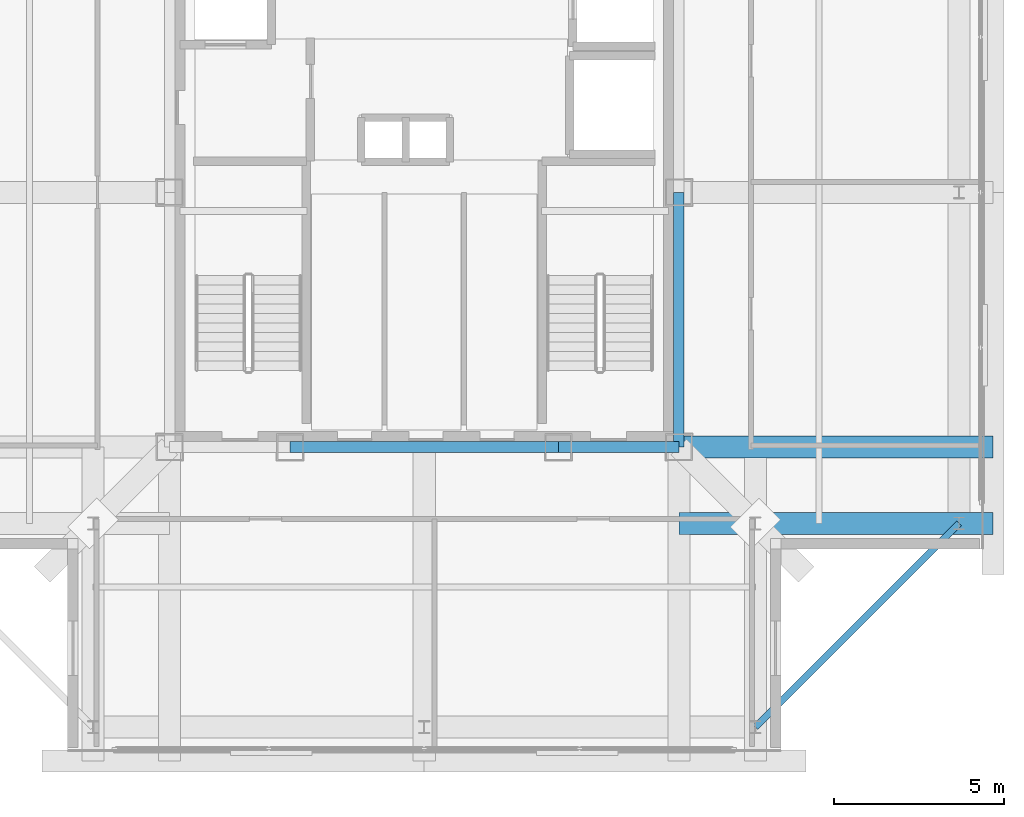
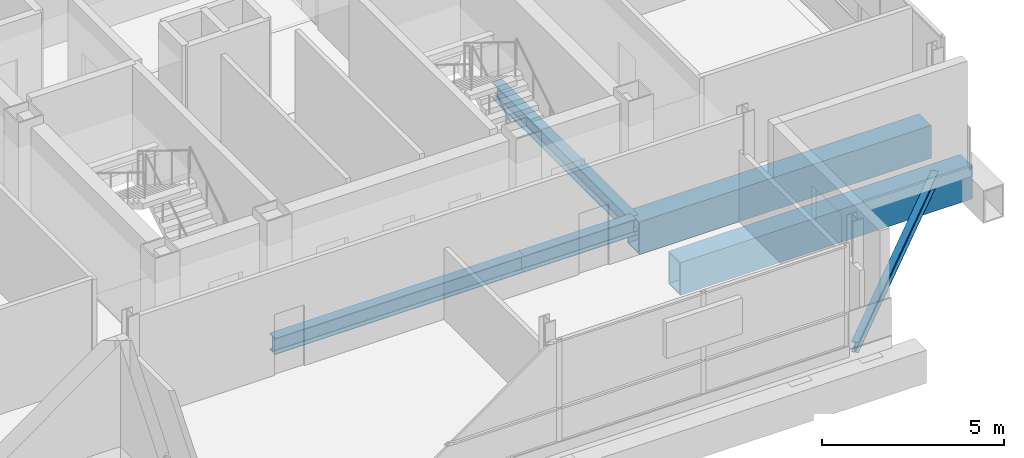
# One storey, part 3 of 12: 6 beams.
"""IFC4 building model written with IfcOpenShell, lengths in metres."""

from ifc_helpers import new_model, si_unit, direction, frame, origin, origin_2d, place, context, subcontext, project, spatial, hollow_rectangle, i_section, extrude, material, material_profile, profile_set, type_object, element, save


model = new_model("IFC4")

# Units and contexts
model_context = context("Model", 3, precision=1e-05, world=origin(), true_north=direction((0.0, 1.0)))
body_context = subcontext(model_context, "Body", "Model", "MODEL_VIEW")
ifc_project = project(units=[si_unit("LENGTHUNIT", "METRE"), si_unit("AREAUNIT", "SQUARE_METRE"), si_unit("VOLUMEUNIT", "CUBIC_METRE"), si_unit("PLANEANGLEUNIT", "RADIAN"), si_unit("MASSUNIT", "GRAM", prefix="KILO")], contexts=[model_context])

# Site, building, storey
site_placement = place(None, origin())
site = spatial("IfcSite", under=ifc_project, at=site_placement, CompositionType="ELEMENT")
building_placement = place(site_placement, origin())
building = spatial("IfcBuilding", under=site, at=building_placement, Name="Trevonay Congress Spire", CompositionType="ELEMENT")
storey_placement = place(building_placement, frame((0.0, 0.0, 308.39990234375)))
storey = spatial("IfcBuildingStorey", under=building, at=storey_placement, Name="L81", CompositionType="ELEMENT", Elevation=308.39990234375)

# Beams
ifc_material = material(Name="Steel ASTM A572 Grade 50", Category="steel")
ifc_material_profile_1 = material_profile(ifc_material, i_section(OverallWidth=0.31201171875, OverallDepth=0.54296875, WebThickness=0.0126953125, FlangeThickness=0.020263671875, FilletRadius=0.014892578125, at=origin_2d()), Name="W530x150")
ifc_profile_set_1 = profile_set([ifc_material_profile_1], Name="Steel ASTM A572 Grade 50")
beam_type_1 = type_object("IfcBeamType", Name="BM-GIRD-W530X150", PredefinedType="BEAM", material=ifc_profile_set_1)
beam_1_placement = place(storey_placement, frame((-3.949951171875, -7.5, -0.67138671875), z_axis=(1.0, 0.0, 0.0), x_axis=(0.0, 1.0, 0.0)))
element("IfcBeam", 1, at=beam_1_placement, inside=storey, type_object=beam_type_1, Name="L81 structural beam BM-L81-CR-S2", PredefinedType="BEAM", context=body_context, shape_type="SweptSolid", body=[
    extrude(i_section(OverallWidth=0.31201171875, OverallDepth=0.54296875, WebThickness=0.0126953125, FlangeThickness=0.020263671875, FilletRadius=0.014892578125, at=origin_2d()), origin(), (0.0, 0.0, 1.0), 7.89990234375),
])
beam_2_placement = place(storey_placement, frame((3.949951171875, -7.5, -0.67138671875), z_axis=(1.0, 0.0, 0.0), x_axis=(0.0, 1.0, 0.0)))
element("IfcBeam", 2, at=beam_2_placement, inside=storey, type_object=beam_type_1, Name="L81 structural beam BM-L81-CR-S3", PredefinedType="BEAM", context=body_context, shape_type="SweptSolid", body=[
    extrude(i_section(OverallWidth=0.31201171875, OverallDepth=0.54296875, WebThickness=0.0126953125, FlangeThickness=0.020263671875, FilletRadius=0.014892578125, at=origin_2d()), origin(), (0.0, 0.0, 1.0), 3.550048828125),
])
beam_3_placement = place(storey_placement, frame((7.5, -7.5, -0.67138671875), z_axis=(0.0, 1.0, 0.0), x_axis=(-1.0, 0.0, 0.0)))
element("IfcBeam", 3, at=beam_3_placement, inside=storey, type_object=beam_type_1, Name="L81 structural beam BM-L81-CR-E1", PredefinedType="BEAM", context=body_context, shape_type="SweptSolid", body=[
    extrude(i_section(OverallWidth=0.31201171875, OverallDepth=0.54296875, WebThickness=0.0126953125, FlangeThickness=0.020263671875, FilletRadius=0.014892578125, at=origin_2d()), origin(), (0.0, 0.0, 1.0), 7.5),
])
ifc_material_profile_2 = material_profile(ifc_material, hollow_rectangle(XDim=0.64990234375, YDim=1.10009765625, WallThickness=0.044921875, at=origin_2d()), Name="BOX 1100x650x45")
ifc_profile_set_2 = profile_set([ifc_material_profile_2], Name="Steel ASTM A572 Grade 50")
beam_type_2 = type_object("IfcBeamType", Name="BM-XFER-BOX1100", PredefinedType="BEAM", material=ifc_profile_set_2)
for number, where, z_axis, x_axis, name in (
    (4, (7.5, -7.5, -0.949951171875), (1.0, 0.0, 0.0), (0.0, 1.0, 0.0), "L81 structural beam XSPN-L81-CX-SE"),
    (5, (7.5, -9.75, -0.949951171875), (1.0, 0.0, 0.0), (0.0, 1.0, 0.0), "L81 structural beam XFER-L81-E0"),
):
    element("IfcBeam", number, at=place(storey_placement, frame(where, z_axis=z_axis, x_axis=x_axis)), inside=storey, type_object=beam_type_2, Name=name, PredefinedType="BEAM", context=body_context, shape_type="SweptSolid", body=[
        extrude(hollow_rectangle(XDim=0.64990234375, YDim=1.10009765625, WallThickness=0.044921875, at=origin_2d()), origin(), (0.0, 0.0, 1.0), 9.25),
    ])
ifc_material_profile_3 = material_profile(ifc_material, i_section(OverallWidth=0.205078125, OverallDepth=0.35400390625, WebThickness=0.009521484375, FlangeThickness=0.016845703125, FilletRadius=0.011962890625, at=origin_2d()), Name="W360x79")
ifc_profile_set_3 = profile_set([ifc_material_profile_3], Name="Steel ASTM A572 Grade 50")
beam_type_3 = type_object("IfcBeamType", Name="SPB-HSS350", PredefinedType="SPANDREL", material=ifc_profile_set_3)
beam_4_placement = place(storey_placement, frame((9.75, -15.75, -0.576904296875), z_axis=(0.707106781187, 0.707106781187, 0.0), x_axis=(-0.707106781187, 0.707106781187, 0.0)))
element("IfcBeam", 6, at=beam_4_placement, inside=storey, type_object=beam_type_3, Name="L81 structural beam SPB-L81-SE", PredefinedType="SPANDREL", context=body_context, shape_type="SweptSolid", body=[
    extrude(i_section(OverallWidth=0.205078125, OverallDepth=0.35400390625, WebThickness=0.009521484375, FlangeThickness=0.016845703125, FilletRadius=0.011962890625, at=origin_2d()), origin(), (0.0, 0.0, 1.0), 8.4853515625),
])

save(model, "model.ifc")
